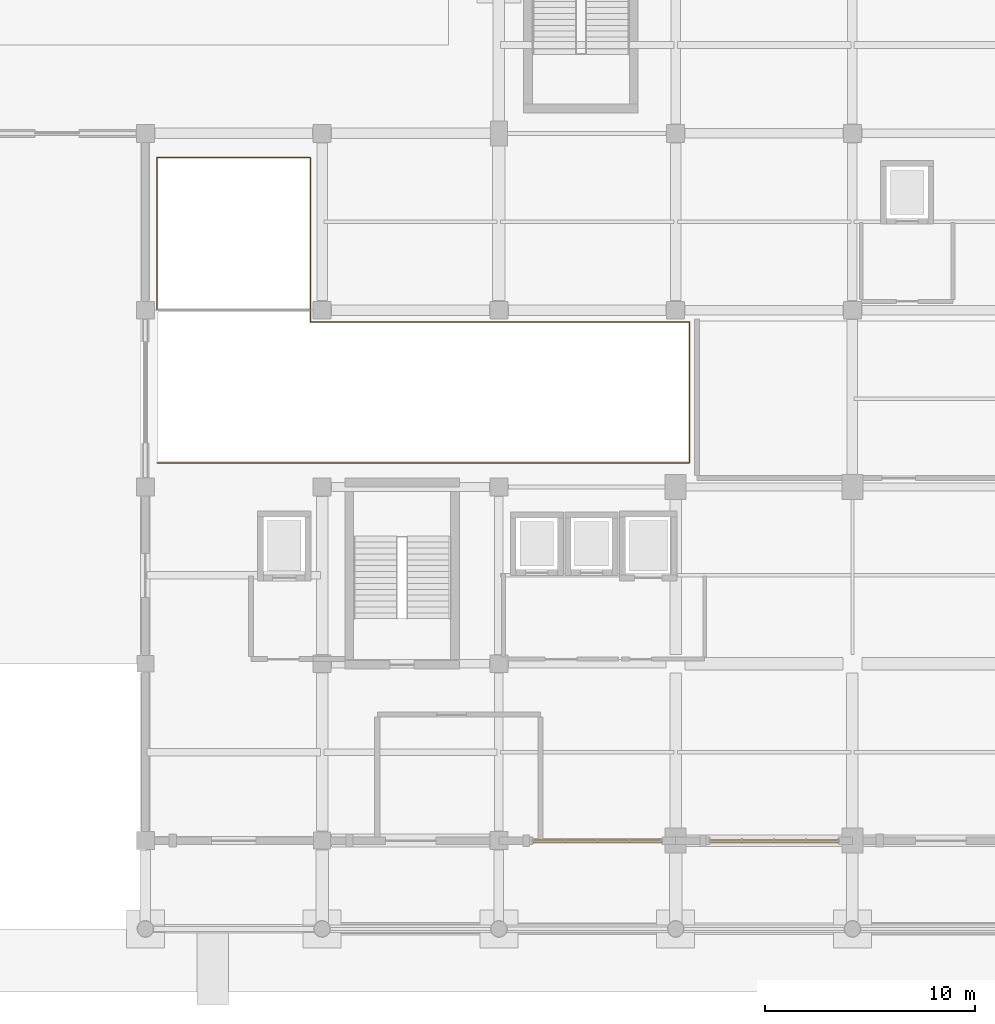
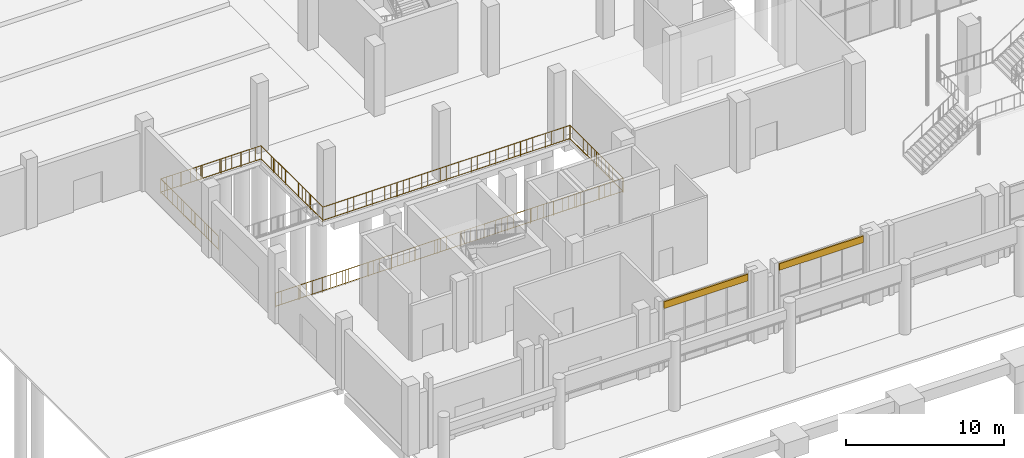
# One storey, part 77 of 82: 2 coverings, 1 railing.
"""IFC4 building model written with IfcOpenShell, lengths in metres."""

from ifc_helpers import new_model, si_unit, derived_unit, direction, frame, origin, origin_2d, place, context, subcontext, project, spatial, rectangle, circle, extrude, material, layer, layer_set, type_object, element, save


model = new_model("IFC4")

# Units and contexts
model_context = context("Model", 3, precision=1e-05, world=origin(), true_north=direction((0.0, 1.0)))
body_context = subcontext(model_context, "Body", "Model", "MODEL_VIEW")
ifc_project = project(units=[si_unit("LENGTHUNIT", "METRE"), si_unit("AREAUNIT", "SQUARE_METRE"), si_unit("VOLUMEUNIT", "CUBIC_METRE"), si_unit("PLANEANGLEUNIT", "RADIAN"), si_unit("MASSUNIT", "GRAM", prefix="KILO"), derived_unit("THERMALTRANSMITTANCEUNIT", [(si_unit("POWERUNIT", "WATT"), 1), (si_unit("LENGTHUNIT", "METRE"), -2), (si_unit("THERMODYNAMICTEMPERATUREUNIT", "KELVIN"), -1)])], contexts=[model_context])

# Site, building, storey
site_placement = place(None, origin())
site = spatial("IfcSite", under=ifc_project, at=site_placement, CompositionType="ELEMENT")
building_placement = place(site_placement, origin())
building = spatial("IfcBuilding", under=site, at=building_placement, Name="Barrovel Congress Hotel", CompositionType="ELEMENT")
storey_placement = place(building_placement, origin())
storey = spatial("IfcBuildingStorey", under=building, at=storey_placement, Name="L00", CompositionType="ELEMENT", Elevation=0.0)

# Coverings
ifc_material_1 = material(Name="Glazed Terracotta Spandrel", Category="masonry")
ifc_layer_1 = layer(ifc_material_1, 0.1201171875)
ifc_layer_set_1 = layer_set([ifc_layer_1], Name="Glazed Terracotta Spandrel")
covering_type = type_object("IfcCoveringType", Name="COV-CLAD-TERRA", PredefinedType="CLADDING", material=ifc_layer_set_1)
for number, where, z_axis, x_axis, name in (
    (1, (38.280029296875, 4.14990234375, 4.610107421875), (0.0, 0.0, 1.0), (1.0, 0.0, 0.0), "CLAD:L00:S:04"),
    (2, (46.679931640625, 4.14990234375, 4.610107421875), (0.0, 0.0, 1.0), (1.0, 0.0, 0.0), "CLAD:L00:S:05"),
):
    element("IfcCovering", number, at=place(storey_placement, frame(where, z_axis=z_axis, x_axis=x_axis)), inside=storey, type_object=covering_type, Name=name, PredefinedType="CLADDING", context=body_context, shape_type="SweptSolid", body=[
        extrude(rectangle(XDim=6.1201171875, YDim=0.1201171875, at=origin_2d()), origin(), (0.0, 0.0, 1.0), 0.52001953125),
    ])

# Railing
ifc_material_2 = material(Name="Painted Architectural Steel", Category="steel")
ifc_layer_2 = layer(ifc_material_2, 0.070068359375)
ifc_layer_set_2 = layer_set([ifc_layer_2], Name="Painted Architectural Steel")
railing_type = type_object("IfcRailingType", Name="RAIL-GUARD-INT", PredefinedType="BALUSTRADE", material=ifc_layer_set_2)
railing_placement = place(storey_placement, frame((17.35009765625, 22.14990234375, 0.0)))
element("IfcRailing", 3, at=railing_placement, inside=storey, type_object=railing_type, Name="RAIL:L00:RMP-1", PredefinedType="BALUSTRADE", context=body_context, shape_type="SweptSolid", body=[
    extrude(circle(Radius=0.02392578125, at=origin_2d()), frame((0.0, 0.0, 1.11572265625), z_axis=(1.0, 0.0, 0.0), x_axis=(0.0, 1.0, 0.0)), (0.0, 0.0, 1.0), 25.2998046875),
    extrude(circle(Radius=0.02392578125, at=origin_2d()), frame((0.0, 0.0, 0.10009765625), z_axis=(1.0, 0.0, 0.0), x_axis=(0.0, 1.0, 0.0)), (0.0, 0.0, 1.0), 25.2998046875),
    extrude(circle(Radius=0.010009765625, at=origin_2d()), frame((0.44384765625, 0.0, 0.10009765625)), (0.0, 0.0, 1.0), 0.99169921875),
    extrude(circle(Radius=0.010009765625, at=origin_2d()), frame((0.8876953125, 0.0, 0.10009765625)), (0.0, 0.0, 1.0), 0.99169921875),
    extrude(circle(Radius=0.010009765625, at=origin_2d()), frame((1.33154296875, 0.0, 0.10009765625)), (0.0, 0.0, 1.0), 0.99169921875),
    extrude(circle(Radius=0.010009765625, at=origin_2d()), frame((1.775390625, 0.0, 0.10009765625)), (0.0, 0.0, 1.0), 0.99169921875),
    extrude(circle(Radius=0.010009765625, at=origin_2d()), frame((2.21923828125, 0.0, 0.10009765625)), (0.0, 0.0, 1.0), 0.99169921875),
    extrude(circle(Radius=0.010009765625, at=origin_2d()), frame((2.6630859375, 0.0, 0.10009765625)), (0.0, 0.0, 1.0), 0.99169921875),
    extrude(circle(Radius=0.010009765625, at=origin_2d()), frame((3.10693359375, 0.0, 0.10009765625)), (0.0, 0.0, 1.0), 0.99169921875),
    extrude(circle(Radius=0.010009765625, at=origin_2d()), frame((3.55078125, 0.0, 0.10009765625)), (0.0, 0.0, 1.0), 0.99169921875),
    extrude(circle(Radius=0.010009765625, at=origin_2d()), frame((3.99462890625, 0.0, 0.10009765625)), (0.0, 0.0, 1.0), 0.99169921875),
    extrude(circle(Radius=0.010009765625, at=origin_2d()), frame((4.4384765625, 0.0, 0.10009765625)), (0.0, 0.0, 1.0), 0.99169921875),
    extrude(circle(Radius=0.010009765625, at=origin_2d()), frame((4.88232421875, 0.0, 0.10009765625)), (0.0, 0.0, 1.0), 0.99169921875),
    extrude(circle(Radius=0.010009765625, at=origin_2d()), frame((5.326171875, 0.0, 0.10009765625)), (0.0, 0.0, 1.0), 0.99169921875),
    extrude(circle(Radius=0.010009765625, at=origin_2d()), frame((5.77001953125, 0.0, 0.10009765625)), (0.0, 0.0, 1.0), 0.99169921875),
    extrude(circle(Radius=0.010009765625, at=origin_2d()), frame((6.2138671875, 0.0, 0.10009765625)), (0.0, 0.0, 1.0), 0.99169921875),
    extrude(circle(Radius=0.010009765625, at=origin_2d()), frame((6.657958984375, 0.0, 0.10009765625)), (0.0, 0.0, 1.0), 0.99169921875),
    extrude(circle(Radius=0.010009765625, at=origin_2d()), frame((7.101806640625, 0.0, 0.10009765625)), (0.0, 0.0, 1.0), 0.99169921875),
    extrude(circle(Radius=0.010009765625, at=origin_2d()), frame((7.545654296875, 0.0, 0.10009765625)), (0.0, 0.0, 1.0), 0.99169921875),
    extrude(circle(Radius=0.010009765625, at=origin_2d()), frame((7.989501953125, 0.0, 0.10009765625)), (0.0, 0.0, 1.0), 0.99169921875),
    extrude(circle(Radius=0.010009765625, at=origin_2d()), frame((8.433349609375, 0.0, 0.10009765625)), (0.0, 0.0, 1.0), 0.99169921875),
    extrude(circle(Radius=0.010009765625, at=origin_2d()), frame((8.877197265625, 0.0, 0.10009765625)), (0.0, 0.0, 1.0), 0.99169921875),
    extrude(circle(Radius=0.010009765625, at=origin_2d()), frame((9.321044921875, 0.0, 0.10009765625)), (0.0, 0.0, 1.0), 0.99169921875),
    extrude(circle(Radius=0.010009765625, at=origin_2d()), frame((9.764892578125, 0.0, 0.10009765625)), (0.0, 0.0, 1.0), 0.99169921875),
    extrude(circle(Radius=0.010009765625, at=origin_2d()), frame((10.208740234375, 0.0, 0.10009765625)), (0.0, 0.0, 1.0), 0.99169921875),
    extrude(circle(Radius=0.010009765625, at=origin_2d()), frame((10.652587890625, 0.0, 0.10009765625)), (0.0, 0.0, 1.0), 0.99169921875),
    extrude(circle(Radius=0.010009765625, at=origin_2d()), frame((11.096435546875, 0.0, 0.10009765625)), (0.0, 0.0, 1.0), 0.99169921875),
    extrude(circle(Radius=0.010009765625, at=origin_2d()), frame((11.540283203125, 0.0, 0.10009765625)), (0.0, 0.0, 1.0), 0.99169921875),
    extrude(circle(Radius=0.010009765625, at=origin_2d()), frame((11.984130859375, 0.0, 0.10009765625)), (0.0, 0.0, 1.0), 0.99169921875),
    extrude(circle(Radius=0.010009765625, at=origin_2d()), frame((12.427978515625, 0.0, 0.10009765625)), (0.0, 0.0, 1.0), 0.99169921875),
    extrude(circle(Radius=0.010009765625, at=origin_2d()), frame((12.871826171875, 0.0, 0.10009765625)), (0.0, 0.0, 1.0), 0.99169921875),
    extrude(circle(Radius=0.010009765625, at=origin_2d()), frame((13.315673828125, 0.0, 0.10009765625)), (0.0, 0.0, 1.0), 0.99169921875),
    extrude(circle(Radius=0.010009765625, at=origin_2d()), frame((13.759521484375, 0.0, 0.10009765625)), (0.0, 0.0, 1.0), 0.99169921875),
    extrude(circle(Radius=0.010009765625, at=origin_2d()), frame((14.203369140625, 0.0, 0.10009765625)), (0.0, 0.0, 1.0), 0.99169921875),
    extrude(circle(Radius=0.010009765625, at=origin_2d()), frame((14.647216796875, 0.0, 0.10009765625)), (0.0, 0.0, 1.0), 0.99169921875),
    extrude(circle(Radius=0.010009765625, at=origin_2d()), frame((15.091064453125, 0.0, 0.10009765625)), (0.0, 0.0, 1.0), 0.99169921875),
    extrude(circle(Radius=0.010009765625, at=origin_2d()), frame((15.534912109375, 0.0, 0.10009765625)), (0.0, 0.0, 1.0), 0.99169921875),
    extrude(circle(Radius=0.010009765625, at=origin_2d()), frame((15.978759765625, 0.0, 0.10009765625)), (0.0, 0.0, 1.0), 0.99169921875),
    extrude(circle(Radius=0.010009765625, at=origin_2d()), frame((16.422607421875, 0.0, 0.10009765625)), (0.0, 0.0, 1.0), 0.99169921875),
    extrude(circle(Radius=0.010009765625, at=origin_2d()), frame((16.866455078125, 0.0, 0.10009765625)), (0.0, 0.0, 1.0), 0.99169921875),
    extrude(circle(Radius=0.010009765625, at=origin_2d()), frame((17.310302734375, 0.0, 0.10009765625)), (0.0, 0.0, 1.0), 0.99169921875),
    extrude(circle(Radius=0.010009765625, at=origin_2d()), frame((17.754150390625, 0.0, 0.10009765625)), (0.0, 0.0, 1.0), 0.99169921875),
    extrude(circle(Radius=0.010009765625, at=origin_2d()), frame((18.197998046875, 0.0, 0.10009765625)), (0.0, 0.0, 1.0), 0.99169921875),
    extrude(circle(Radius=0.010009765625, at=origin_2d()), frame((18.641845703125, 0.0, 0.10009765625)), (0.0, 0.0, 1.0), 0.99169921875),
    extrude(circle(Radius=0.010009765625, at=origin_2d()), frame((19.0859375, 0.0, 0.10009765625)), (0.0, 0.0, 1.0), 0.99169921875),
    extrude(circle(Radius=0.010009765625, at=origin_2d()), frame((19.52978515625, 0.0, 0.10009765625)), (0.0, 0.0, 1.0), 0.99169921875),
    extrude(circle(Radius=0.010009765625, at=origin_2d()), frame((19.9736328125, 0.0, 0.10009765625)), (0.0, 0.0, 1.0), 0.99169921875),
    extrude(circle(Radius=0.010009765625, at=origin_2d()), frame((20.41748046875, 0.0, 0.10009765625)), (0.0, 0.0, 1.0), 0.99169921875),
    extrude(circle(Radius=0.010009765625, at=origin_2d()), frame((20.861328125, 0.0, 0.10009765625)), (0.0, 0.0, 1.0), 0.99169921875),
    extrude(circle(Radius=0.010009765625, at=origin_2d()), frame((21.30517578125, 0.0, 0.10009765625)), (0.0, 0.0, 1.0), 0.99169921875),
    extrude(circle(Radius=0.010009765625, at=origin_2d()), frame((21.7490234375, 0.0, 0.10009765625)), (0.0, 0.0, 1.0), 0.99169921875),
    extrude(circle(Radius=0.010009765625, at=origin_2d()), frame((22.19287109375, 0.0, 0.10009765625)), (0.0, 0.0, 1.0), 0.99169921875),
    extrude(circle(Radius=0.010009765625, at=origin_2d()), frame((22.63671875, 0.0, 0.10009765625)), (0.0, 0.0, 1.0), 0.99169921875),
    extrude(circle(Radius=0.010009765625, at=origin_2d()), frame((23.08056640625, 0.0, 0.10009765625)), (0.0, 0.0, 1.0), 0.99169921875),
    extrude(circle(Radius=0.010009765625, at=origin_2d()), frame((23.5244140625, 0.0, 0.10009765625)), (0.0, 0.0, 1.0), 0.99169921875),
    extrude(circle(Radius=0.010009765625, at=origin_2d()), frame((23.96826171875, 0.0, 0.10009765625)), (0.0, 0.0, 1.0), 0.99169921875),
    extrude(circle(Radius=0.010009765625, at=origin_2d()), frame((24.412109375, 0.0, 0.10009765625)), (0.0, 0.0, 1.0), 0.99169921875),
    extrude(circle(Radius=0.010009765625, at=origin_2d()), frame((24.85595703125, 0.0, 0.10009765625)), (0.0, 0.0, 1.0), 0.99169921875),
    extrude(circle(Radius=0.02392578125, at=origin_2d()), frame((25.2998046875, 0.0, 1.11572265625), z_axis=(0.0, 1.0, 0.0), x_axis=(-1.0, 0.0, 0.0)), (0.0, 0.0, 1.0), 6.7001953125),
    extrude(circle(Radius=0.02392578125, at=origin_2d()), frame((25.2998046875, 0.0, 0.10009765625), z_axis=(0.0, 1.0, 0.0), x_axis=(-1.0, 0.0, 0.0)), (0.0, 0.0, 1.0), 6.7001953125),
    extrude(circle(Radius=0.010009765625, at=origin_2d()), frame((25.2998046875, 0.44677734375, 0.10009765625)), (0.0, 0.0, 1.0), 0.99169921875),
    extrude(circle(Radius=0.010009765625, at=origin_2d()), frame((25.2998046875, 0.893310546875, 0.10009765625)), (0.0, 0.0, 1.0), 0.99169921875),
    extrude(circle(Radius=0.010009765625, at=origin_2d()), frame((25.2998046875, 1.340087890625, 0.10009765625)), (0.0, 0.0, 1.0), 0.99169921875),
    extrude(circle(Radius=0.010009765625, at=origin_2d()), frame((25.2998046875, 1.78662109375, 0.10009765625)), (0.0, 0.0, 1.0), 0.99169921875),
    extrude(circle(Radius=0.010009765625, at=origin_2d()), frame((25.2998046875, 2.2333984375, 0.10009765625)), (0.0, 0.0, 1.0), 0.99169921875),
    extrude(circle(Radius=0.010009765625, at=origin_2d()), frame((25.2998046875, 2.68017578125, 0.10009765625)), (0.0, 0.0, 1.0), 0.99169921875),
    extrude(circle(Radius=0.010009765625, at=origin_2d()), frame((25.2998046875, 3.126708984375, 0.10009765625)), (0.0, 0.0, 1.0), 0.99169921875),
    extrude(circle(Radius=0.010009765625, at=origin_2d()), frame((25.2998046875, 3.573486328125, 0.10009765625)), (0.0, 0.0, 1.0), 0.99169921875),
    extrude(circle(Radius=0.010009765625, at=origin_2d()), frame((25.2998046875, 4.02001953125, 0.10009765625)), (0.0, 0.0, 1.0), 0.99169921875),
    extrude(circle(Radius=0.010009765625, at=origin_2d()), frame((25.2998046875, 4.466796875, 0.10009765625)), (0.0, 0.0, 1.0), 0.99169921875),
    extrude(circle(Radius=0.010009765625, at=origin_2d()), frame((25.2998046875, 4.91357421875, 0.10009765625)), (0.0, 0.0, 1.0), 0.99169921875),
    extrude(circle(Radius=0.010009765625, at=origin_2d()), frame((25.2998046875, 5.360107421875, 0.10009765625)), (0.0, 0.0, 1.0), 0.99169921875),
    extrude(circle(Radius=0.010009765625, at=origin_2d()), frame((25.2998046875, 5.806884765625, 0.10009765625)), (0.0, 0.0, 1.0), 0.99169921875),
    extrude(circle(Radius=0.010009765625, at=origin_2d()), frame((25.2998046875, 6.25341796875, 0.10009765625)), (0.0, 0.0, 1.0), 0.99169921875),
    extrude(circle(Radius=0.02392578125, at=origin_2d()), frame((25.2998046875, 6.7001953125, 1.11572265625), z_axis=(-1.0, 0.0, 0.0), x_axis=(0.0, -1.0, 0.0)), (0.0, 0.0, 1.0), 18.0),
    extrude(circle(Radius=0.02392578125, at=origin_2d()), frame((25.2998046875, 6.7001953125, 0.10009765625), z_axis=(-1.0, 0.0, 0.0), x_axis=(0.0, -1.0, 0.0)), (0.0, 0.0, 1.0), 18.0),
    extrude(circle(Radius=0.010009765625, at=origin_2d()), frame((24.849853515625, 6.7001953125, 0.10009765625)), (0.0, 0.0, 1.0), 0.99169921875),
    extrude(circle(Radius=0.010009765625, at=origin_2d()), frame((24.39990234375, 6.7001953125, 0.10009765625)), (0.0, 0.0, 1.0), 0.99169921875),
    extrude(circle(Radius=0.010009765625, at=origin_2d()), frame((23.94970703125, 6.7001953125, 0.10009765625)), (0.0, 0.0, 1.0), 0.99169921875),
    extrude(circle(Radius=0.010009765625, at=origin_2d()), frame((23.499755859375, 6.7001953125, 0.10009765625)), (0.0, 0.0, 1.0), 0.99169921875),
    extrude(circle(Radius=0.010009765625, at=origin_2d()), frame((23.0498046875, 6.7001953125, 0.10009765625)), (0.0, 0.0, 1.0), 0.99169921875),
    extrude(circle(Radius=0.010009765625, at=origin_2d()), frame((22.599853515625, 6.7001953125, 0.10009765625)), (0.0, 0.0, 1.0), 0.99169921875),
    extrude(circle(Radius=0.010009765625, at=origin_2d()), frame((22.14990234375, 6.7001953125, 0.10009765625)), (0.0, 0.0, 1.0), 0.99169921875),
    extrude(circle(Radius=0.010009765625, at=origin_2d()), frame((21.69970703125, 6.7001953125, 0.10009765625)), (0.0, 0.0, 1.0), 0.99169921875),
    extrude(circle(Radius=0.010009765625, at=origin_2d()), frame((21.249755859375, 6.7001953125, 0.10009765625)), (0.0, 0.0, 1.0), 0.99169921875),
    extrude(circle(Radius=0.010009765625, at=origin_2d()), frame((20.7998046875, 6.7001953125, 0.10009765625)), (0.0, 0.0, 1.0), 0.99169921875),
    extrude(circle(Radius=0.010009765625, at=origin_2d()), frame((20.349853515625, 6.7001953125, 0.10009765625)), (0.0, 0.0, 1.0), 0.99169921875),
    extrude(circle(Radius=0.010009765625, at=origin_2d()), frame((19.89990234375, 6.7001953125, 0.10009765625)), (0.0, 0.0, 1.0), 0.99169921875),
    extrude(circle(Radius=0.010009765625, at=origin_2d()), frame((19.44970703125, 6.7001953125, 0.10009765625)), (0.0, 0.0, 1.0), 0.99169921875),
    extrude(circle(Radius=0.010009765625, at=origin_2d()), frame((18.999755859375, 6.7001953125, 0.10009765625)), (0.0, 0.0, 1.0), 0.99169921875),
    extrude(circle(Radius=0.010009765625, at=origin_2d()), frame((18.5498046875, 6.7001953125, 0.10009765625)), (0.0, 0.0, 1.0), 0.99169921875),
    extrude(circle(Radius=0.010009765625, at=origin_2d()), frame((18.099853515625, 6.7001953125, 0.10009765625)), (0.0, 0.0, 1.0), 0.99169921875),
    extrude(circle(Radius=0.010009765625, at=origin_2d()), frame((17.64990234375, 6.7001953125, 0.10009765625)), (0.0, 0.0, 1.0), 0.99169921875),
    extrude(circle(Radius=0.010009765625, at=origin_2d()), frame((17.19970703125, 6.7001953125, 0.10009765625)), (0.0, 0.0, 1.0), 0.99169921875),
    extrude(circle(Radius=0.010009765625, at=origin_2d()), frame((16.749755859375, 6.7001953125, 0.10009765625)), (0.0, 0.0, 1.0), 0.99169921875),
    extrude(circle(Radius=0.010009765625, at=origin_2d()), frame((16.2998046875, 6.7001953125, 0.10009765625)), (0.0, 0.0, 1.0), 0.99169921875),
    extrude(circle(Radius=0.010009765625, at=origin_2d()), frame((15.849853515625, 6.7001953125, 0.10009765625)), (0.0, 0.0, 1.0), 0.99169921875),
    extrude(circle(Radius=0.010009765625, at=origin_2d()), frame((15.39990234375, 6.7001953125, 0.10009765625)), (0.0, 0.0, 1.0), 0.99169921875),
    extrude(circle(Radius=0.010009765625, at=origin_2d()), frame((14.94970703125, 6.7001953125, 0.10009765625)), (0.0, 0.0, 1.0), 0.99169921875),
    extrude(circle(Radius=0.010009765625, at=origin_2d()), frame((14.499755859375, 6.7001953125, 0.10009765625)), (0.0, 0.0, 1.0), 0.99169921875),
    extrude(circle(Radius=0.010009765625, at=origin_2d()), frame((14.0498046875, 6.7001953125, 0.10009765625)), (0.0, 0.0, 1.0), 0.99169921875),
    extrude(circle(Radius=0.010009765625, at=origin_2d()), frame((13.599853515625, 6.7001953125, 0.10009765625)), (0.0, 0.0, 1.0), 0.99169921875),
    extrude(circle(Radius=0.010009765625, at=origin_2d()), frame((13.14990234375, 6.7001953125, 0.10009765625)), (0.0, 0.0, 1.0), 0.99169921875),
    extrude(circle(Radius=0.010009765625, at=origin_2d()), frame((12.69970703125, 6.7001953125, 0.10009765625)), (0.0, 0.0, 1.0), 0.99169921875),
    extrude(circle(Radius=0.010009765625, at=origin_2d()), frame((12.249755859375, 6.7001953125, 0.10009765625)), (0.0, 0.0, 1.0), 0.99169921875),
    extrude(circle(Radius=0.010009765625, at=origin_2d()), frame((11.7998046875, 6.7001953125, 0.10009765625)), (0.0, 0.0, 1.0), 0.99169921875),
    extrude(circle(Radius=0.010009765625, at=origin_2d()), frame((11.349853515625, 6.7001953125, 0.10009765625)), (0.0, 0.0, 1.0), 0.99169921875),
    extrude(circle(Radius=0.010009765625, at=origin_2d()), frame((10.89990234375, 6.7001953125, 0.10009765625)), (0.0, 0.0, 1.0), 0.99169921875),
    extrude(circle(Radius=0.010009765625, at=origin_2d()), frame((10.44970703125, 6.7001953125, 0.10009765625)), (0.0, 0.0, 1.0), 0.99169921875),
    extrude(circle(Radius=0.010009765625, at=origin_2d()), frame((9.999755859375, 6.7001953125, 0.10009765625)), (0.0, 0.0, 1.0), 0.99169921875),
    extrude(circle(Radius=0.010009765625, at=origin_2d()), frame((9.5498046875, 6.7001953125, 0.10009765625)), (0.0, 0.0, 1.0), 0.99169921875),
    extrude(circle(Radius=0.010009765625, at=origin_2d()), frame((9.099853515625, 6.7001953125, 0.10009765625)), (0.0, 0.0, 1.0), 0.99169921875),
    extrude(circle(Radius=0.010009765625, at=origin_2d()), frame((8.64990234375, 6.7001953125, 0.10009765625)), (0.0, 0.0, 1.0), 0.99169921875),
    extrude(circle(Radius=0.010009765625, at=origin_2d()), frame((8.19970703125, 6.7001953125, 0.10009765625)), (0.0, 0.0, 1.0), 0.99169921875),
    extrude(circle(Radius=0.010009765625, at=origin_2d()), frame((7.749755859375, 6.7001953125, 0.10009765625)), (0.0, 0.0, 1.0), 0.99169921875),
    extrude(circle(Radius=0.02392578125, at=origin_2d()), frame((7.2998046875, 6.7001953125, 1.11572265625), z_axis=(0.0, 1.0, 0.0), x_axis=(-1.0, 0.0, 0.0)), (0.0, 0.0, 1.0), 7.7998046875),
    extrude(circle(Radius=0.02392578125, at=origin_2d()), frame((7.2998046875, 6.7001953125, 0.10009765625), z_axis=(0.0, 1.0, 0.0), x_axis=(-1.0, 0.0, 0.0)), (0.0, 0.0, 1.0), 7.7998046875),
    extrude(circle(Radius=0.010009765625, at=origin_2d()), frame((7.2998046875, 7.133544921875, 0.10009765625)), (0.0, 0.0, 1.0), 0.99169921875),
    extrude(circle(Radius=0.010009765625, at=origin_2d()), frame((7.2998046875, 7.56689453125, 0.10009765625)), (0.0, 0.0, 1.0), 0.99169921875),
    extrude(circle(Radius=0.010009765625, at=origin_2d()), frame((7.2998046875, 8.000244140625, 0.10009765625)), (0.0, 0.0, 1.0), 0.99169921875),
    extrude(circle(Radius=0.010009765625, at=origin_2d()), frame((7.2998046875, 8.43359375, 0.10009765625)), (0.0, 0.0, 1.0), 0.99169921875),
    extrude(circle(Radius=0.010009765625, at=origin_2d()), frame((7.2998046875, 8.86669921875, 0.10009765625)), (0.0, 0.0, 1.0), 0.99169921875),
    extrude(circle(Radius=0.010009765625, at=origin_2d()), frame((7.2998046875, 9.300048828125, 0.10009765625)), (0.0, 0.0, 1.0), 0.99169921875),
    extrude(circle(Radius=0.010009765625, at=origin_2d()), frame((7.2998046875, 9.7333984375, 0.10009765625)), (0.0, 0.0, 1.0), 0.99169921875),
    extrude(circle(Radius=0.010009765625, at=origin_2d()), frame((7.2998046875, 10.166748046875, 0.10009765625)), (0.0, 0.0, 1.0), 0.99169921875),
    extrude(circle(Radius=0.010009765625, at=origin_2d()), frame((7.2998046875, 10.60009765625, 0.10009765625)), (0.0, 0.0, 1.0), 0.99169921875),
    extrude(circle(Radius=0.010009765625, at=origin_2d()), frame((7.2998046875, 11.033447265625, 0.10009765625)), (0.0, 0.0, 1.0), 0.99169921875),
    extrude(circle(Radius=0.010009765625, at=origin_2d()), frame((7.2998046875, 11.466796875, 0.10009765625)), (0.0, 0.0, 1.0), 0.99169921875),
    extrude(circle(Radius=0.010009765625, at=origin_2d()), frame((7.2998046875, 11.900146484375, 0.10009765625)), (0.0, 0.0, 1.0), 0.99169921875),
    extrude(circle(Radius=0.010009765625, at=origin_2d()), frame((7.2998046875, 12.33349609375, 0.10009765625)), (0.0, 0.0, 1.0), 0.99169921875),
    extrude(circle(Radius=0.010009765625, at=origin_2d()), frame((7.2998046875, 12.7666015625, 0.10009765625)), (0.0, 0.0, 1.0), 0.99169921875),
    extrude(circle(Radius=0.010009765625, at=origin_2d()), frame((7.2998046875, 13.199951171875, 0.10009765625)), (0.0, 0.0, 1.0), 0.99169921875),
    extrude(circle(Radius=0.010009765625, at=origin_2d()), frame((7.2998046875, 13.63330078125, 0.10009765625)), (0.0, 0.0, 1.0), 0.99169921875),
    extrude(circle(Radius=0.010009765625, at=origin_2d()), frame((7.2998046875, 14.066650390625, 0.10009765625)), (0.0, 0.0, 1.0), 0.99169921875),
    extrude(circle(Radius=0.02392578125, at=origin_2d()), frame((7.2998046875, 14.5, 1.11572265625), z_axis=(-1.0, 0.0, 0.0), x_axis=(0.0, -1.0, 0.0)), (0.0, 0.0, 1.0), 7.2998046875),
    extrude(circle(Radius=0.02392578125, at=origin_2d()), frame((7.2998046875, 14.5, 0.10009765625), z_axis=(-1.0, 0.0, 0.0), x_axis=(0.0, -1.0, 0.0)), (0.0, 0.0, 1.0), 7.2998046875),
    extrude(circle(Radius=0.010009765625, at=origin_2d()), frame((6.870361328125, 14.5, 0.10009765625)), (0.0, 0.0, 1.0), 0.99169921875),
    extrude(circle(Radius=0.010009765625, at=origin_2d()), frame((6.44091796875, 14.5, 0.10009765625)), (0.0, 0.0, 1.0), 0.99169921875),
    extrude(circle(Radius=0.010009765625, at=origin_2d()), frame((6.01171875, 14.5, 0.10009765625)), (0.0, 0.0, 1.0), 0.99169921875),
    extrude(circle(Radius=0.010009765625, at=origin_2d()), frame((5.582275390625, 14.5, 0.10009765625)), (0.0, 0.0, 1.0), 0.99169921875),
    extrude(circle(Radius=0.010009765625, at=origin_2d()), frame((5.15283203125, 14.5, 0.10009765625)), (0.0, 0.0, 1.0), 0.99169921875),
    extrude(circle(Radius=0.010009765625, at=origin_2d()), frame((4.723388671875, 14.5, 0.10009765625)), (0.0, 0.0, 1.0), 0.99169921875),
    extrude(circle(Radius=0.010009765625, at=origin_2d()), frame((4.2939453125, 14.5, 0.10009765625)), (0.0, 0.0, 1.0), 0.99169921875),
    extrude(circle(Radius=0.010009765625, at=origin_2d()), frame((3.864501953125, 14.5, 0.10009765625)), (0.0, 0.0, 1.0), 0.99169921875),
    extrude(circle(Radius=0.010009765625, at=origin_2d()), frame((3.435302734375, 14.5, 0.10009765625)), (0.0, 0.0, 1.0), 0.99169921875),
    extrude(circle(Radius=0.010009765625, at=origin_2d()), frame((3.005859375, 14.5, 0.10009765625)), (0.0, 0.0, 1.0), 0.99169921875),
    extrude(circle(Radius=0.010009765625, at=origin_2d()), frame((2.576416015625, 14.5, 0.10009765625)), (0.0, 0.0, 1.0), 0.99169921875),
    extrude(circle(Radius=0.010009765625, at=origin_2d()), frame((2.14697265625, 14.5, 0.10009765625)), (0.0, 0.0, 1.0), 0.99169921875),
    extrude(circle(Radius=0.010009765625, at=origin_2d()), frame((1.717529296875, 14.5, 0.10009765625)), (0.0, 0.0, 1.0), 0.99169921875),
    extrude(circle(Radius=0.010009765625, at=origin_2d()), frame((1.2880859375, 14.5, 0.10009765625)), (0.0, 0.0, 1.0), 0.99169921875),
    extrude(circle(Radius=0.010009765625, at=origin_2d()), frame((0.85888671875, 14.5, 0.10009765625)), (0.0, 0.0, 1.0), 0.99169921875),
    extrude(circle(Radius=0.010009765625, at=origin_2d()), frame((0.429443359375, 14.5, 0.10009765625)), (0.0, 0.0, 1.0), 0.99169921875),
    extrude(circle(Radius=0.02392578125, at=origin_2d()), frame((0.0, 14.5, 1.11572265625), z_axis=(0.0, -1.0, 0.0), x_axis=(1.0, 0.0, 0.0)), (0.0, 0.0, 1.0), 7.25),
    extrude(circle(Radius=0.02392578125, at=origin_2d()), frame((0.0, 14.5, 0.10009765625), z_axis=(0.0, -1.0, 0.0), x_axis=(1.0, 0.0, 0.0)), (0.0, 0.0, 1.0), 7.25),
    extrude(circle(Radius=0.010009765625, at=origin_2d()), frame((0.0, 14.073486328125, 0.10009765625)), (0.0, 0.0, 1.0), 0.99169921875),
    extrude(circle(Radius=0.010009765625, at=origin_2d()), frame((0.0, 13.64697265625, 0.10009765625)), (0.0, 0.0, 1.0), 0.99169921875),
    extrude(circle(Radius=0.010009765625, at=origin_2d()), frame((0.0, 13.220703125, 0.10009765625)), (0.0, 0.0, 1.0), 0.99169921875),
    extrude(circle(Radius=0.010009765625, at=origin_2d()), frame((0.0, 12.794189453125, 0.10009765625)), (0.0, 0.0, 1.0), 0.99169921875),
    extrude(circle(Radius=0.010009765625, at=origin_2d()), frame((0.0, 12.36767578125, 0.10009765625)), (0.0, 0.0, 1.0), 0.99169921875),
    extrude(circle(Radius=0.010009765625, at=origin_2d()), frame((0.0, 11.941162109375, 0.10009765625)), (0.0, 0.0, 1.0), 0.99169921875),
    extrude(circle(Radius=0.010009765625, at=origin_2d()), frame((0.0, 11.5146484375, 0.10009765625)), (0.0, 0.0, 1.0), 0.99169921875),
    extrude(circle(Radius=0.010009765625, at=origin_2d()), frame((0.0, 11.088134765625, 0.10009765625)), (0.0, 0.0, 1.0), 0.99169921875),
    extrude(circle(Radius=0.010009765625, at=origin_2d()), frame((0.0, 10.661865234375, 0.10009765625)), (0.0, 0.0, 1.0), 0.99169921875),
    extrude(circle(Radius=0.010009765625, at=origin_2d()), frame((0.0, 10.2353515625, 0.10009765625)), (0.0, 0.0, 1.0), 0.99169921875),
    extrude(circle(Radius=0.010009765625, at=origin_2d()), frame((0.0, 9.808837890625, 0.10009765625)), (0.0, 0.0, 1.0), 0.99169921875),
    extrude(circle(Radius=0.010009765625, at=origin_2d()), frame((0.0, 9.38232421875, 0.10009765625)), (0.0, 0.0, 1.0), 0.99169921875),
    extrude(circle(Radius=0.010009765625, at=origin_2d()), frame((0.0, 8.955810546875, 0.10009765625)), (0.0, 0.0, 1.0), 0.99169921875),
    extrude(circle(Radius=0.010009765625, at=origin_2d()), frame((0.0, 8.529296875, 0.10009765625)), (0.0, 0.0, 1.0), 0.99169921875),
    extrude(circle(Radius=0.010009765625, at=origin_2d()), frame((0.0, 8.10302734375, 0.10009765625)), (0.0, 0.0, 1.0), 0.99169921875),
    extrude(circle(Radius=0.010009765625, at=origin_2d()), frame((0.0, 7.676513671875, 0.10009765625)), (0.0, 0.0, 1.0), 0.99169921875),
    extrude(circle(Radius=0.02099609375, at=origin_2d()), origin(), (0.0, 0.0, 1.0), 1.091796875),
    extrude(circle(Radius=0.02099609375, at=origin_2d()), frame((1.686767578125, 0.0, 0.0)), (0.0, 0.0, 1.0), 1.091796875),
    extrude(circle(Radius=0.02099609375, at=origin_2d()), frame((3.373291015625, 0.0, 0.0)), (0.0, 0.0, 1.0), 1.091796875),
    extrude(circle(Radius=0.02099609375, at=origin_2d()), frame((5.06005859375, 0.0, 0.0)), (0.0, 0.0, 1.0), 1.091796875),
    extrude(circle(Radius=0.02099609375, at=origin_2d()), frame((6.74658203125, 0.0, 0.0)), (0.0, 0.0, 1.0), 1.091796875),
    extrude(circle(Radius=0.02099609375, at=origin_2d()), frame((8.433349609375, 0.0, 0.0)), (0.0, 0.0, 1.0), 1.091796875),
    extrude(circle(Radius=0.02099609375, at=origin_2d()), frame((10.119873046875, 0.0, 0.0)), (0.0, 0.0, 1.0), 1.091796875),
    extrude(circle(Radius=0.02099609375, at=origin_2d()), frame((11.806640625, 0.0, 0.0)), (0.0, 0.0, 1.0), 1.091796875),
    extrude(circle(Radius=0.02099609375, at=origin_2d()), frame((13.4931640625, 0.0, 0.0)), (0.0, 0.0, 1.0), 1.091796875),
    extrude(circle(Radius=0.02099609375, at=origin_2d()), frame((15.179931640625, 0.0, 0.0)), (0.0, 0.0, 1.0), 1.091796875),
    extrude(circle(Radius=0.02099609375, at=origin_2d()), frame((16.866455078125, 0.0, 0.0)), (0.0, 0.0, 1.0), 1.091796875),
    extrude(circle(Radius=0.02099609375, at=origin_2d()), frame((18.55322265625, 0.0, 0.0)), (0.0, 0.0, 1.0), 1.091796875),
    extrude(circle(Radius=0.02099609375, at=origin_2d()), frame((20.23974609375, 0.0, 0.0)), (0.0, 0.0, 1.0), 1.091796875),
    extrude(circle(Radius=0.02099609375, at=origin_2d()), frame((21.926513671875, 0.0, 0.0)), (0.0, 0.0, 1.0), 1.091796875),
    extrude(circle(Radius=0.02099609375, at=origin_2d()), frame((23.613037109375, 0.0, 0.0)), (0.0, 0.0, 1.0), 1.091796875),
    extrude(circle(Radius=0.02099609375, at=origin_2d()), frame((25.2998046875, 0.0, 0.0)), (0.0, 0.0, 1.0), 1.091796875),
    extrude(circle(Radius=0.02099609375, at=origin_2d()), frame((25.2998046875, 1.675048828125, 0.0)), (0.0, 0.0, 1.0), 1.091796875),
    extrude(circle(Radius=0.02099609375, at=origin_2d()), frame((25.2998046875, 3.35009765625, 0.0)), (0.0, 0.0, 1.0), 1.091796875),
    extrude(circle(Radius=0.02099609375, at=origin_2d()), frame((25.2998046875, 5.025146484375, 0.0)), (0.0, 0.0, 1.0), 1.091796875),
    extrude(circle(Radius=0.02099609375, at=origin_2d()), frame((25.2998046875, 6.7001953125, 0.0)), (0.0, 0.0, 1.0), 1.091796875),
    extrude(circle(Radius=0.02099609375, at=origin_2d()), frame((23.499755859375, 6.7001953125, 0.0)), (0.0, 0.0, 1.0), 1.091796875),
    extrude(circle(Radius=0.02099609375, at=origin_2d()), frame((21.69970703125, 6.7001953125, 0.0)), (0.0, 0.0, 1.0), 1.091796875),
    extrude(circle(Radius=0.02099609375, at=origin_2d()), frame((19.89990234375, 6.7001953125, 0.0)), (0.0, 0.0, 1.0), 1.091796875),
    extrude(circle(Radius=0.02099609375, at=origin_2d()), frame((18.099853515625, 6.7001953125, 0.0)), (0.0, 0.0, 1.0), 1.091796875),
    extrude(circle(Radius=0.02099609375, at=origin_2d()), frame((16.2998046875, 6.7001953125, 0.0)), (0.0, 0.0, 1.0), 1.091796875),
    extrude(circle(Radius=0.02099609375, at=origin_2d()), frame((14.499755859375, 6.7001953125, 0.0)), (0.0, 0.0, 1.0), 1.091796875),
    extrude(circle(Radius=0.02099609375, at=origin_2d()), frame((12.69970703125, 6.7001953125, 0.0)), (0.0, 0.0, 1.0), 1.091796875),
    extrude(circle(Radius=0.02099609375, at=origin_2d()), frame((10.89990234375, 6.7001953125, 0.0)), (0.0, 0.0, 1.0), 1.091796875),
    extrude(circle(Radius=0.02099609375, at=origin_2d()), frame((9.099853515625, 6.7001953125, 0.0)), (0.0, 0.0, 1.0), 1.091796875),
    extrude(circle(Radius=0.02099609375, at=origin_2d()), frame((7.2998046875, 6.7001953125, 0.0)), (0.0, 0.0, 1.0), 1.091796875),
    extrude(circle(Radius=0.02099609375, at=origin_2d()), frame((7.2998046875, 8.26025390625, 0.0)), (0.0, 0.0, 1.0), 1.091796875),
    extrude(circle(Radius=0.02099609375, at=origin_2d()), frame((7.2998046875, 9.820068359375, 0.0)), (0.0, 0.0, 1.0), 1.091796875),
    extrude(circle(Radius=0.02099609375, at=origin_2d()), frame((7.2998046875, 11.380126953125, 0.0)), (0.0, 0.0, 1.0), 1.091796875),
    extrude(circle(Radius=0.02099609375, at=origin_2d()), frame((7.2998046875, 12.93994140625, 0.0)), (0.0, 0.0, 1.0), 1.091796875),
    extrude(circle(Radius=0.02099609375, at=origin_2d()), frame((7.2998046875, 14.5, 0.0)), (0.0, 0.0, 1.0), 1.091796875),
    extrude(circle(Radius=0.02099609375, at=origin_2d()), frame((5.83984375, 14.5, 0.0)), (0.0, 0.0, 1.0), 1.091796875),
    extrude(circle(Radius=0.02099609375, at=origin_2d()), frame((4.3798828125, 14.5, 0.0)), (0.0, 0.0, 1.0), 1.091796875),
    extrude(circle(Radius=0.02099609375, at=origin_2d()), frame((2.919921875, 14.5, 0.0)), (0.0, 0.0, 1.0), 1.091796875),
    extrude(circle(Radius=0.02099609375, at=origin_2d()), frame((1.4599609375, 14.5, 0.0)), (0.0, 0.0, 1.0), 1.091796875),
    extrude(circle(Radius=0.02099609375, at=origin_2d()), frame((0.0, 14.5, 0.0)), (0.0, 0.0, 1.0), 1.091796875),
    extrude(circle(Radius=0.02099609375, at=origin_2d()), frame((0.0, 13.050048828125, 0.0)), (0.0, 0.0, 1.0), 1.091796875),
    extrude(circle(Radius=0.02099609375, at=origin_2d()), frame((0.0, 11.60009765625, 0.0)), (0.0, 0.0, 1.0), 1.091796875),
    extrude(circle(Radius=0.02099609375, at=origin_2d()), frame((0.0, 10.14990234375, 0.0)), (0.0, 0.0, 1.0), 1.091796875),
    extrude(circle(Radius=0.02099609375, at=origin_2d()), frame((0.0, 8.699951171875, 0.0)), (0.0, 0.0, 1.0), 1.091796875),
    extrude(circle(Radius=0.02099609375, at=origin_2d()), frame((0.0, 7.25, 0.0)), (0.0, 0.0, 1.0), 1.091796875),
])

save(model, "model.ifc")
